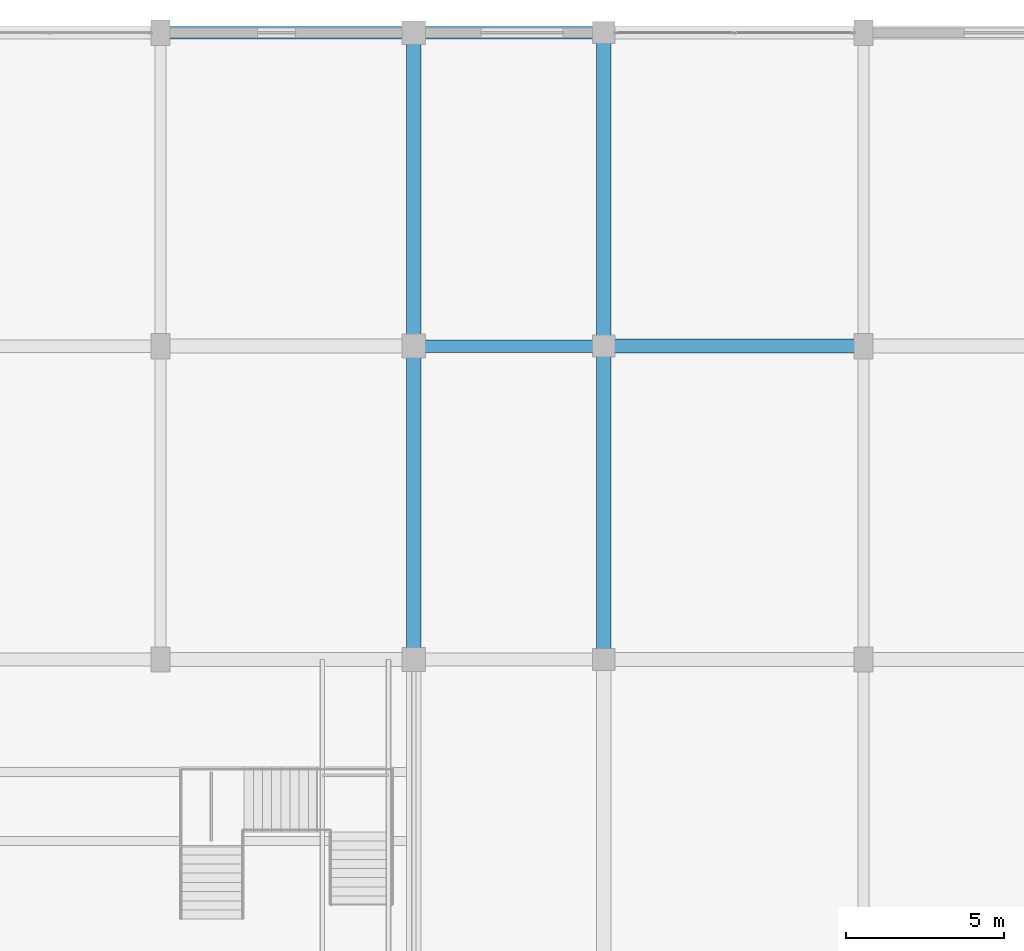
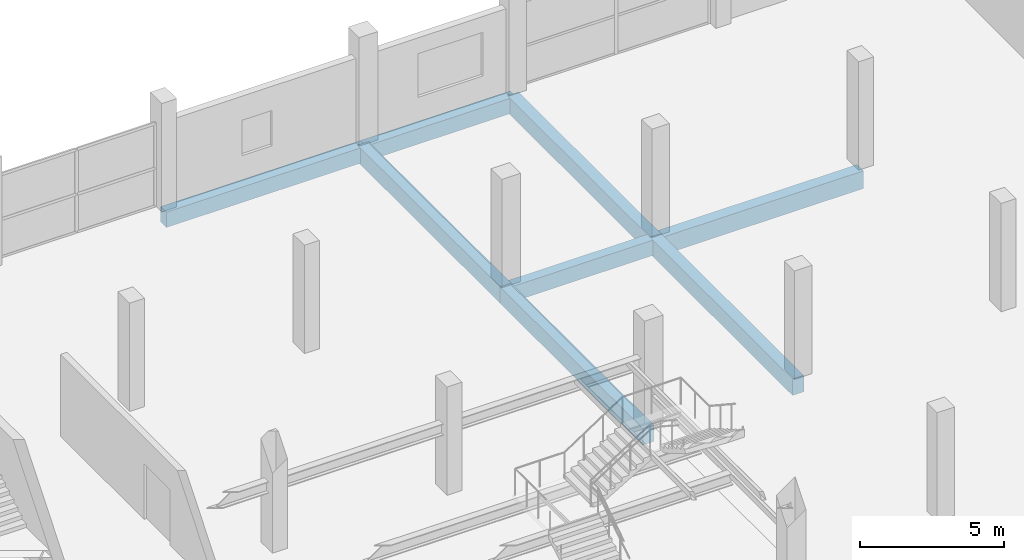
# One storey, part 29 of 49: 8 beams.
"""IFC4 building model written with IfcOpenShell, lengths in metres."""

import ifcopenshell
import ifcopenshell.guid

model = None  # the IFC model being written
_history = None  # IfcOwnerHistory: only IFC2X3 demands one
_inside = {}  # id of a spatial element -> (the spatial element, [elements in it])
_under = {}  # id of a project, library or spatial element -> (it, [spatial elements below it])
_declared = {}  # id of a project -> (the project, [libraries it declares])
_typed = {}  # id of a type object -> (the type object, [elements of that type])
_made_of = {}  # id of a material, layer set ... -> (it, [elements and type objects made of it])


def new_model(schema):
    """Start an empty IFC model of exactly this schema.

    Asked for "IFC4X3", IfcOpenShell would pick the latest addendum, in which some entities
    have other attributes; the version numbers below select the first issue.
    IFC2X3 requires an IfcOwnerHistory on every rooted entity: one is made here for all.
    """
    global model, _history
    if schema == "IFC4X3":
        model = ifcopenshell.file(schema_version=(4, 3, 0, 0))
    else:
        model = ifcopenshell.file(schema=schema)
    _inside.clear()
    _under.clear()
    _declared.clear()
    _typed.clear()
    _made_of.clear()
    _history = None
    if model.schema == "IFC2X3":
        org = make("IfcOrganization", Name="unknown")
        user = make(
            "IfcPersonAndOrganization",
            ThePerson=make("IfcPerson", FamilyName="unknown"),
            TheOrganization=org,
        )
        app = make(
            "IfcApplication",
            ApplicationDeveloper=org,
            Version="unknown",
            ApplicationFullName="unknown",
            ApplicationIdentifier="unknown",
        )
        _history = make(
            "IfcOwnerHistory",
            OwningUser=user,
            OwningApplication=app,
            ChangeAction="ADDED",
            CreationDate=0,
        )
    return model


def make(cls, **values):
    """One entity of the class cls with the attributes given. An attribute that is None is left unset."""
    return model.create_entity(
        cls, **{name: value for name, value in values.items() if value is not None}
    )


def rooted(cls, **values):
    """An entity with a GlobalId (a new one), such as an element, a storey or a relation."""
    return make(cls, GlobalId=ifcopenshell.guid.new(), OwnerHistory=_history, **values)


def si_unit(unit_type, name, prefix=None):
    """IfcSIUnit, for example si_unit("LENGTHUNIT", "METRE", prefix="MILLI")."""
    return make("IfcSIUnit", UnitType=unit_type, Prefix=prefix, Name=name)


def assignment(units):
    """IfcUnitAssignment: the units of a project."""
    return None if units is None else make("IfcUnitAssignment", Units=units)


def point(xyz):
    """IfcCartesianPoint."""
    return None if xyz is None else make("IfcCartesianPoint", Coordinates=xyz)


def direction(xyz):
    """IfcDirection."""
    return None if xyz is None else make("IfcDirection", DirectionRatios=xyz)


def frame(location, z_axis=None, x_axis=None):
    """IfcAxis2Placement3D, a coordinate frame: its origin and axes. An axis left out is left unset."""
    return make(
        "IfcAxis2Placement3D",
        Location=point(location),
        Axis=direction(z_axis),
        RefDirection=direction(x_axis),
    )


def frame_2d(location, x_axis=None):
    """IfcAxis2Placement2D, a coordinate frame in the plane: its origin and x axis."""
    return make(
        "IfcAxis2Placement2D", Location=point(location), RefDirection=direction(x_axis)
    )


def origin():
    """The frame at (0, 0, 0) with its axes left unset."""
    return frame((0.0, 0.0, 0.0))


def origin_2d():
    """The frame at (0, 0) in the plane with its x axis left unset."""
    return frame_2d((0.0, 0.0))


def place(relative_to, where):
    """IfcLocalPlacement: puts the frame where relative to a parent placement (None: the world)."""
    return make(
        "IfcLocalPlacement", PlacementRelTo=relative_to, RelativePlacement=where
    )


def context(
    kind, dimensions, precision=None, world=None, true_north=None, identifier=None
):
    """IfcGeometricRepresentationContext, for example the 3D "Model" context."""
    return make(
        "IfcGeometricRepresentationContext",
        ContextIdentifier=identifier,
        ContextType=kind,
        CoordinateSpaceDimension=dimensions,
        Precision=precision,
        WorldCoordinateSystem=world,
        TrueNorth=true_north,
    )


def subcontext(parent, identifier, kind, view, scale=None):
    """IfcGeometricRepresentationSubContext, for example "Body" below "Model"."""
    return make(
        "IfcGeometricRepresentationSubContext",
        ContextIdentifier=identifier,
        ContextType=kind,
        ParentContext=parent,
        TargetScale=scale,
        TargetView=view,
    )


def project(units=None, contexts=None):
    """IfcProject with its units and contexts."""
    return rooted(
        "IfcProject",
        Name="project",
        RepresentationContexts=contexts,
        UnitsInContext=assignment(units),
    )


def spatial(cls, under=None, at=None, **own):
    """A site, building, storey or space (cls), placed at a placement, below another one or the project."""
    s = rooted(cls, ObjectPlacement=at, **own)
    if under is not None:
        _under.setdefault(under.id(), (under, []))[1].append(s)
    return s


def profile(cls, at=None, kind="AREA", **sizes):
    """A parametric profile (cls). Its sizes go by their IFC names, for example OverallWidth=200.0."""
    return make(cls, ProfileType=kind, Position=at, **sizes)


def rectangle(**sizes):
    """IfcRectangleProfileDef."""
    return profile("IfcRectangleProfileDef", **sizes)


def extrude(swept, where, along, depth):
    """IfcExtrudedAreaSolid: the profile swept, set in the frame where, extruded along a direction by depth."""
    return make(
        "IfcExtrudedAreaSolid",
        SweptArea=swept,
        Position=where,
        ExtrudedDirection=direction(along),
        Depth=depth,
    )


def shape(context_of_items, identifier, shape_type, items):
    """IfcShapeRepresentation: the items that make up one representation, for example the "Body"."""
    return make(
        "IfcShapeRepresentation",
        ContextOfItems=context_of_items,
        RepresentationIdentifier=identifier,
        RepresentationType=shape_type,
        Items=items,
    )


def material(Name=None, Category=None):
    """IfcMaterial."""
    return make("IfcMaterial", Name=Name, Category=Category)


def material_profile(
    of_material, cross_section, Name=None, Category=None, Priority=None
):
    """IfcMaterialProfile: a cross section and its material."""
    return make(
        "IfcMaterialProfile",
        Name=Name,
        Material=of_material,
        Profile=cross_section,
        Priority=Priority,
        Category=Category,
    )


def profile_set(profiles, Name=None, composite=None):
    """IfcMaterialProfileSet."""
    return make(
        "IfcMaterialProfileSet",
        Name=Name,
        MaterialProfiles=profiles,
        CompositeProfile=composite,
    )


def made_of(thing, what):
    """Note that an element or type object is made of a material, layer set ...; save() writes the relation."""
    if what is not None:
        _made_of.setdefault(what.id(), (what, []))[1].append(thing)
    return thing


def type_object(cls, material=None, **own):
    """A type object (cls), such as IfcWallType, which elements share."""
    return made_of(rooted(cls, **own), material)


def element(
    cls,
    number,
    at=None,
    inside=None,
    cuts=None,
    type_object=None,
    material=None,
    context=None,
    identifier="Body",
    shape_type=None,
    held_by="IfcProductDefinitionShape",
    body=None,
    shapes=None,
    **own,
):
    """One element of the class cls, such as IfcWall. Its Tag is "e" and its number.

    at: its placement. inside: the storey or other place that contains it. cuts: it is an
    opening in that element (IfcRelVoidsElement). A single representation is given by context,
    identifier, shape_type and body (its items); several are given by shapes. held_by: the class
    of the entity that holds the representations. save() writes the other relations.
    """
    e = rooted(cls, Tag="e%d" % number, ObjectPlacement=at, **own)
    if body is not None:
        shapes = [shape(context, identifier, shape_type, body)]
    if shapes is not None:
        e.Representation = make(held_by, Representations=shapes)
    if inside is not None:
        _inside.setdefault(inside.id(), (inside, []))[1].append(e)
    if cuts is not None:
        rooted(
            "IfcRelVoidsElement", RelatingBuildingElement=cuts, RelatedOpeningElement=e
        )
    if type_object is not None:
        _typed.setdefault(type_object.id(), (type_object, []))[1].append(e)
    return made_of(e, material)


def aggregate(whole, parts):
    """IfcRelAggregates: a whole, such as a stair, and the parts it consists of."""
    return rooted("IfcRelAggregates", RelatingObject=whole, RelatedObjects=parts)


def save(model, path):
    """Write the relations noted so far, then the file.

    IfcRelAggregates (storeys below a building ...), IfcRelContainedInSpatialStructure (elements
    in a storey), IfcRelDefinesByType, IfcRelAssociatesMaterial and IfcRelDeclares: one each for
    every whole, place, type object, material and project.
    """
    for whole, parts in _under.values():
        aggregate(whole, parts)
    for where, things in _inside.values():
        rooted(
            "IfcRelContainedInSpatialStructure",
            RelatedElements=things,
            RelatingStructure=where,
        )
    for kind, things in _typed.values():
        rooted("IfcRelDefinesByType", RelatedObjects=things, RelatingType=kind)
    for what, things in _made_of.values():
        rooted("IfcRelAssociatesMaterial", RelatedObjects=things, RelatingMaterial=what)
    for by, libraries in _declared.values():
        rooted("IfcRelDeclares", RelatingContext=by, RelatedDefinitions=libraries)
    model.write(path)


model = new_model("IFC4")

# Units and contexts
model_context = context("Model", 3, precision=1e-05, world=origin(), true_north=direction((0.0, 1.0)))
body_context = subcontext(model_context, "Body", "Model", "MODEL_VIEW")
ifc_project = project(units=[si_unit("LENGTHUNIT", "METRE"), si_unit("AREAUNIT", "SQUARE_METRE"), si_unit("VOLUMEUNIT", "CUBIC_METRE"), si_unit("PLANEANGLEUNIT", "RADIAN"), si_unit("MASSUNIT", "GRAM", prefix="KILO")], contexts=[model_context])

# Site, building, storey
site_placement = place(None, origin())
site = spatial("IfcSite", under=ifc_project, at=site_placement, CompositionType="ELEMENT")
building_placement = place(site_placement, origin())
building = spatial("IfcBuilding", under=site, at=building_placement, Name="Sillaruma Civic Art Gallery", CompositionType="ELEMENT")
storey_placement = place(building_placement, frame((0.0, 0.0, 33.14990234375)))
storey = spatial("IfcBuildingStorey", under=building, at=storey_placement, Name="L06", CompositionType="ELEMENT", Elevation=33.14990234375)

# Beams
ifc_material_1 = material(Name="Concrete H35 (35 MPa)", Category="concrete")
ifc_material_profile_1 = material_profile(ifc_material_1, rectangle(XDim=0.39990234375, YDim=0.64990234375, at=origin_2d()), Name="RCB400x650")
ifc_profile_set_1 = profile_set([ifc_material_profile_1], Name="Concrete H35 (35 MPa)")
beam_type_1 = type_object("IfcBeamType", Name="BM-BEAM-RCB400x650", PredefinedType="BEAM", material=ifc_profile_set_1)
beam_1_placement = place(storey_placement, frame((92.0, 89.10009765625, -0.56494140625), z_axis=(1.0, 0.0, 0.0), x_axis=(0.0, 1.0, 0.0)))
element("IfcBeam", 1, at=beam_1_placement, inside=storey, type_object=beam_type_1, Name="Beam BM-05 (L05:10:K-L)", PredefinedType="BEAM", context=body_context, shape_type="SweptSolid", body=[
    extrude(rectangle(XDim=0.39990234375, YDim=0.64990234375, at=origin_2d()), origin(), (0.0, 0.0, 1.0), 6.0),
])
ifc_material_2 = material(Name="Concrete H40 (40 MPa)", Category="concrete")
ifc_material_profile_2 = material_profile(ifc_material_2, rectangle(XDim=0.449951171875, YDim=0.75, at=origin_2d()), Name="RCB450x750")
ifc_profile_set_2 = profile_set([ifc_material_profile_2], Name="Concrete H40 (40 MPa)")
beam_type_2 = type_object("IfcBeamType", Name="BM-BEAM-RCB450x750", PredefinedType="BEAM", material=ifc_profile_set_2)
beam_2_placement = place(storey_placement, frame((98.0, 89.10009765625, -0.614990234375), z_axis=(1.0, 0.0, 0.0), x_axis=(0.0, 1.0, 0.0)))
element("IfcBeam", 2, at=beam_2_placement, inside=storey, type_object=beam_type_2, Name="Beam BM-03 (L05:10:L-M)", PredefinedType="BEAM", context=body_context, shape_type="SweptSolid", body=[
    extrude(rectangle(XDim=0.449951171875, YDim=0.75, at=origin_2d()), origin(), (0.0, 0.0, 1.0), 8.199951171875),
])
ifc_material_profile_3 = material_profile(ifc_material_1, rectangle(XDim=0.39990234375, YDim=0.64990234375, at=origin_2d()), Name="RCB400x650")
ifc_profile_set_3 = profile_set([ifc_material_profile_3], Name="Concrete H35 (35 MPa)")
beam_type_3 = type_object("IfcBeamType", Name="BM-SPANDREL-RCB400x650", PredefinedType="SPANDREL", material=ifc_profile_set_3)
beam_3_placement = place(storey_placement, frame((84.0, 99.0, -0.56494140625), z_axis=(1.0, 0.0, 0.0), x_axis=(0.0, 1.0, 0.0)))
element("IfcBeam", 3, at=beam_3_placement, inside=storey, type_object=beam_type_3, Name="Beam BS-02 (L05:11:J-K)", PredefinedType="SPANDREL", context=body_context, shape_type="SweptSolid", body=[
    extrude(rectangle(XDim=0.39990234375, YDim=0.64990234375, at=origin_2d()), origin(), (0.0, 0.0, 1.0), 8.0),
])
beam_4_placement = place(storey_placement, frame((92.0, 99.0, -0.56494140625), z_axis=(1.0, 0.0, 0.0), x_axis=(0.0, 1.0, 0.0)))
element("IfcBeam", 4, at=beam_4_placement, inside=storey, type_object=beam_type_3, Name="Beam BS-02 (L05:11:K-L)", PredefinedType="SPANDREL", context=body_context, shape_type="SweptSolid", body=[
    extrude(rectangle(XDim=0.39990234375, YDim=0.64990234375, at=origin_2d()), origin(), (0.0, 0.0, 1.0), 6.0),
])
ifc_material_profile_4 = material_profile(ifc_material_1, rectangle(XDim=0.449951171875, YDim=0.699951171875, at=origin_2d()), Name="RCB450x700")
ifc_profile_set_4 = profile_set([ifc_material_profile_4], Name="Concrete H35 (35 MPa)")
beam_type_4 = type_object("IfcBeamType", Name="BM-SPANDREL-RCB450x700", PredefinedType="SPANDREL", material=ifc_profile_set_4)
beam_5_placement = place(storey_placement, frame((92.0, 79.199951171875, -0.58984375), z_axis=(0.0, 1.0, 0.0), x_axis=(-1.0, 0.0, 0.0)))
element("IfcBeam", 5, at=beam_5_placement, inside=storey, type_object=beam_type_4, Name="Beam BS-03 (L05:K:9-10)", PredefinedType="SPANDREL", context=body_context, shape_type="SweptSolid", body=[
    extrude(rectangle(XDim=0.449951171875, YDim=0.699951171875, at=origin_2d()), origin(), (0.0, 0.0, 1.0), 9.900146484375),
])
beam_6_placement = place(storey_placement, frame((92.0, 89.10009765625, -0.58984375), z_axis=(0.0, 1.0, 0.0), x_axis=(-1.0, 0.0, 0.0)))
element("IfcBeam", 6, at=beam_6_placement, inside=storey, type_object=beam_type_4, Name="Beam BS-03 (L05:K:10-11)", PredefinedType="SPANDREL", context=body_context, shape_type="SweptSolid", body=[
    extrude(rectangle(XDim=0.449951171875, YDim=0.699951171875, at=origin_2d()), origin(), (0.0, 0.0, 1.0), 9.89990234375),
])
beam_7_placement = place(storey_placement, frame((98.0, 79.199951171875, -0.58984375), z_axis=(0.0, 1.0, 0.0), x_axis=(-1.0, 0.0, 0.0)))
element("IfcBeam", 7, at=beam_7_placement, inside=storey, type_object=beam_type_4, Name="Beam BS-03 (L05:L:9-10)", PredefinedType="SPANDREL", context=body_context, shape_type="SweptSolid", body=[
    extrude(rectangle(XDim=0.449951171875, YDim=0.699951171875, at=origin_2d()), origin(), (0.0, 0.0, 1.0), 9.900146484375),
])
beam_8_placement = place(storey_placement, frame((98.0, 89.10009765625, -0.58984375), z_axis=(0.0, 1.0, 0.0), x_axis=(-1.0, 0.0, 0.0)))
element("IfcBeam", 8, at=beam_8_placement, inside=storey, type_object=beam_type_4, Name="Beam BS-03 (L05:L:10-11)", PredefinedType="SPANDREL", context=body_context, shape_type="SweptSolid", body=[
    extrude(rectangle(XDim=0.449951171875, YDim=0.699951171875, at=origin_2d()), origin(), (0.0, 0.0, 1.0), 9.89990234375),
])

save(model, "model.ifc")
